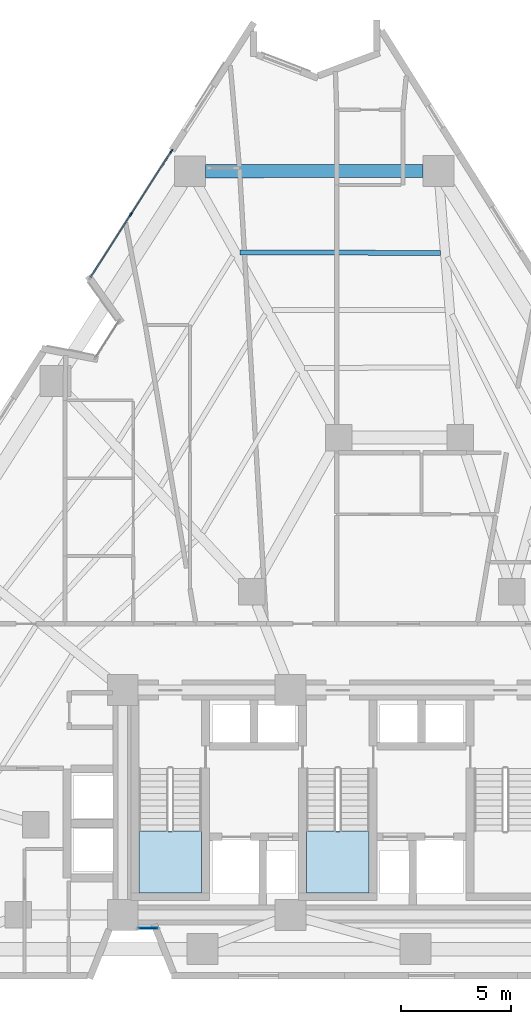
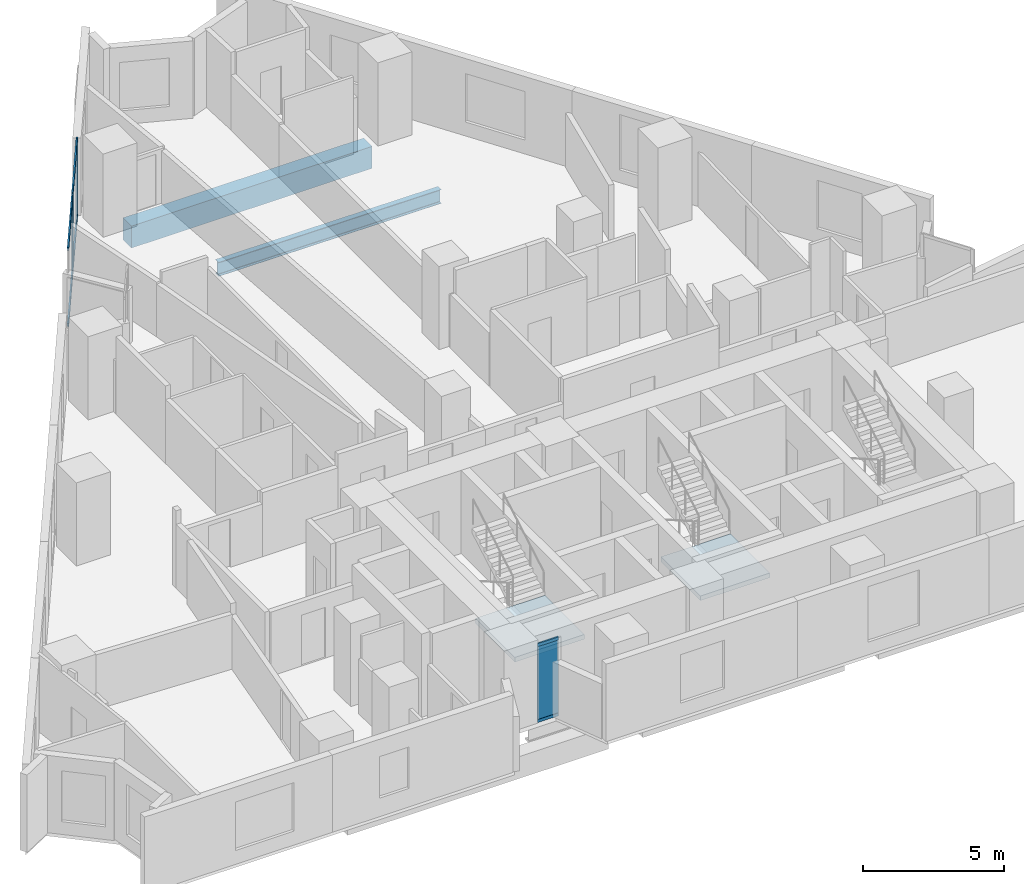
# One storey, part 5 of 12: 8 members, 2 beams, 2 slabs, 1 plate, 4 elements without a shape of their own.
"""IFC4 building model written with IfcOpenShell, lengths in metres."""

from ifc_helpers import new_model, si_unit, direction, frame, origin, origin_2d, place, context, subcontext, project, spatial, polyline, rectangle, i_section, outline, extrude, material, layer, layer_set, material_profile, profile_set, type_object, element, aggregate, save


model = new_model("IFC4")

# Units and contexts
model_context = context("Model", 3, precision=1e-05, world=origin(), true_north=direction((0.0, 1.0)))
body_context = subcontext(model_context, "Body", "Model", "MODEL_VIEW")
ifc_project = project(units=[si_unit("LENGTHUNIT", "METRE"), si_unit("AREAUNIT", "SQUARE_METRE"), si_unit("VOLUMEUNIT", "CUBIC_METRE"), si_unit("PLANEANGLEUNIT", "RADIAN"), si_unit("MASSUNIT", "GRAM", prefix="KILO")], contexts=[model_context])

# Site, building, storey
site_placement = place(None, origin())
site = spatial("IfcSite", under=ifc_project, at=site_placement, CompositionType="ELEMENT")
building_placement = place(site_placement, origin())
building = spatial("IfcBuilding", under=site, at=building_placement, Name="Almagre Mirador Tower", CompositionType="ELEMENT")
storey_placement = place(building_placement, frame((0.0, 0.0, 64.199951171875)))
storey = spatial("IfcBuildingStorey", under=building, at=storey_placement, Name="L15", CompositionType="ELEMENT", Elevation=64.199951171875)

# Beams
ifc_material_1 = material(Name="Steel ASTM A992 Grade 50", Category="steel")
ifc_material_profile_1 = material_profile(ifc_material_1, i_section(OverallWidth=0.22802734375, OverallDepth=0.60791015625, WebThickness=0.01123046875, FlangeThickness=0.017333984375, FilletRadius=0.02001953125, at=origin_2d()), Name="W24X76")
ifc_profile_set_1 = profile_set([ifc_material_profile_1], Name="Steel ASTM A992 Grade 50")
beam_type_1 = type_object("IfcBeamType", Name="BM-JST-W24X76", PredefinedType="JOIST", material=ifc_profile_set_1)
beam_1_placement = place(storey_placement, frame((41.95654296875, 34.57080078125, -0.553955078125), z_axis=(-0.999993235317, 0.003678222446, 0.0), x_axis=(-0.003678222446, -0.999993235317, 0.0)))
element("IfcBeam", 1, at=beam_1_placement, inside=storey, type_object=beam_type_1, Name="L15 secondary floor joist PC08-PC09.1", PredefinedType="JOIST", context=body_context, shape_type="SweptSolid", body=[
    extrude(i_section(OverallWidth=0.22802734375, OverallDepth=0.60791015625, WebThickness=0.01123046875, FlangeThickness=0.017333984375, FilletRadius=0.02001953125, at=origin_2d()), origin(), (0.0, 0.0, 1.0), 9.09326171875),
])
ifc_material_2 = material(Name="Precast concrete C50/60", Category="concrete")
ifc_material_profile_2 = material_profile(ifc_material_2, rectangle(XDim=0.60009765625, YDim=0.949951171875, at=origin_2d()), Name="RC600X950")
ifc_profile_set_2 = profile_set([ifc_material_profile_2], Name="Precast concrete C50/60")
beam_type_2 = type_object("IfcBeamType", Name="BM-SPN-RC600X950", PredefinedType="SPANDREL", material=ifc_profile_set_2)
beam_2_placement = place(storey_placement, frame((41.162109375, 38.289306640625, -0.724853515625), z_axis=(-0.999999686228, -0.000792177001, 0.0), x_axis=(0.000792177001, -0.999999686228, 0.0)))
element("IfcBeam", 2, at=beam_2_placement, inside=storey, type_object=beam_type_2, Name="L15 perimeter spandrel beam PC08-PC09", PredefinedType="SPANDREL", context=body_context, shape_type="SweptSolid", body=[
    extrude(rectangle(XDim=0.60009765625, YDim=0.949951171875, at=origin_2d()), origin(), (0.0, 0.0, 1.0), 9.862060546875),
])

# Curtain wall, members
ifc_material_3 = material(Name="Black anodized aluminium", Category="aluminium")
ifc_layer_1 = layer(ifc_material_3, 0.18994140625)
ifc_layer_set_1 = layer_set([ifc_layer_1], Name="Black anodized aluminium")
curtain_wall_type_1 = type_object("IfcCurtainWallType", Name="CW-RES-L-SYS", PredefinedType="NOTDEFINED", material=ifc_layer_set_1)
curtain_wall_1_placement = place(storey_placement, origin())
curtain_wall_1 = element("IfcCurtainWall", 3, at=curtain_wall_1_placement, inside=storey, type_object=curtain_wall_type_1, Name="L15 curtain wall run 02", PredefinedType="NOTDEFINED")
ifc_material_4 = material(Name="Black anodized aluminium", Category="aluminium")
ifc_material_profile_3 = material_profile(ifc_material_4, rectangle(XDim=0.06494140625, YDim=0.179931640625, at=origin_2d()), Name="CWM65X180")
ifc_profile_set_3 = profile_set([ifc_material_profile_3], Name="Black anodized aluminium")
member_type_1 = type_object("IfcMemberType", Name="MBR-CWM65X180", PredefinedType="MULLION", material=ifc_profile_set_3)
member_1_placement = place(storey_placement, frame((27.91650390625, 36.316650390625, 0.0), z_axis=(0.0, 0.0, 1.0), x_axis=(-0.841957719355, 0.539543509662, 0.0)))
member_1 = element("IfcMember", 4, at=member_1_placement, type_object=member_type_1, Name="CW-2 mullion 2", PredefinedType="MULLION", context=body_context, shape_type="SweptSolid", body=[
    extrude(rectangle(XDim=0.06494140625, YDim=0.179931640625, at=origin_2d()), origin(), (0.0, 0.0, 1.0), 3.35009765625),
])
member_2_placement = place(storey_placement, frame((29.758544921875, 39.191162109375, 0.0), z_axis=(0.0, 0.0, 1.0), x_axis=(-0.841957719355, 0.539543509662, 0.0)))
member_2 = element("IfcMember", 5, at=member_2_placement, type_object=member_type_1, Name="CW-2 mullion 3", PredefinedType="MULLION", context=body_context, shape_type="SweptSolid", body=[
    extrude(rectangle(XDim=0.06494140625, YDim=0.179931640625, at=origin_2d()), origin(), (0.0, 0.0, 1.0), 3.35009765625),
])
ifc_material_5 = material(Name="Black anodized aluminium", Category="aluminium")
ifc_material_profile_4 = material_profile(ifc_material_5, rectangle(XDim=0.06005859375, YDim=0.1298828125, at=origin_2d()), Name="CWT60X130")
ifc_profile_set_4 = profile_set([ifc_material_profile_4], Name="Black anodized aluminium")
member_type_2 = type_object("IfcMemberType", Name="MBR-CWT60X130", PredefinedType="USERDEFINED", material=ifc_profile_set_4)
member_3_placement = place(storey_placement, frame((26.092041015625, 33.4697265625, 0.030029296875), z_axis=(0.539552169735, 0.841952169743, 0.0), x_axis=(-0.841952169743, 0.539552169735, 0.0)))
member_3 = element("IfcMember", 6, at=member_3_placement, type_object=member_type_2, Name="CW-2 transom 1.1", ObjectType="TRANSOM", PredefinedType="USERDEFINED", context=body_context, shape_type="SweptSolid", body=[
    extrude(rectangle(XDim=0.06005859375, YDim=0.1298828125, at=origin_2d()), origin(), (0.0, 0.0, 1.0), 3.348876953125),
])
member_4_placement = place(storey_placement, frame((26.092041015625, 33.4697265625, 3.320068359375), z_axis=(0.539552169735, 0.841952169743, 0.0), x_axis=(-0.841952169743, 0.539552169735, 0.0)))
member_4 = element("IfcMember", 7, at=member_4_placement, type_object=member_type_2, Name="CW-2 transom 1.2", ObjectType="TRANSOM", PredefinedType="USERDEFINED", context=body_context, shape_type="SweptSolid", body=[
    extrude(rectangle(XDim=0.06005859375, YDim=0.1298828125, at=origin_2d()), origin(), (0.0, 0.0, 1.0), 3.348876953125),
])
member_5_placement = place(storey_placement, frame((27.93408203125, 36.343994140625, 0.030029296875), z_axis=(0.539519053365, 0.841973390943, 0.0), x_axis=(-0.841973390943, 0.539519053365, 0.0)))
member_5 = element("IfcMember", 8, at=member_5_placement, type_object=member_type_2, Name="CW-2 transom 2.1", ObjectType="TRANSOM", PredefinedType="USERDEFINED", context=body_context, shape_type="SweptSolid", body=[
    extrude(rectangle(XDim=0.06005859375, YDim=0.1298828125, at=origin_2d()), origin(), (0.0, 0.0, 1.0), 3.34912109375),
])
member_6_placement = place(storey_placement, frame((27.93408203125, 36.343994140625, 3.320068359375), z_axis=(0.539519053365, 0.841973390943, 0.0), x_axis=(-0.841973390943, 0.539519053365, 0.0)))
member_6 = element("IfcMember", 9, at=member_6_placement, type_object=member_type_2, Name="CW-2 transom 2.2", ObjectType="TRANSOM", PredefinedType="USERDEFINED", context=body_context, shape_type="SweptSolid", body=[
    extrude(rectangle(XDim=0.06005859375, YDim=0.1298828125, at=origin_2d()), origin(), (0.0, 0.0, 1.0), 3.34912109375),
])
aggregate(curtain_wall_1, [member_1, member_2, member_3, member_4, member_5, member_6])

# Curtain wall, members, plate
ifc_material_6 = material(Name="Black anodized aluminium", Category="aluminium")
ifc_layer_2 = layer(ifc_material_6, 0.169921875)
ifc_layer_set_2 = layer_set([ifc_layer_2], Name="Black anodized aluminium")
curtain_wall_type_2 = type_object("IfcCurtainWallType", Name="CW-CRS-SYS", PredefinedType="NOTDEFINED", material=ifc_layer_set_2)
curtain_wall_2_placement = place(storey_placement, origin())
curtain_wall_2 = element("IfcCurtainWall", 10, at=curtain_wall_2_placement, inside=storey, type_object=curtain_wall_type_2, Name="L15 vertical crease curtain wall 04", PredefinedType="NOTDEFINED")
member_7_placement = place(storey_placement, frame((29.125, 3.949951171875, 0.030029296875), z_axis=(-1.0, 0.0, 0.0), x_axis=(0.0, -1.0, 0.0)))
member_7 = element("IfcMember", 11, at=member_7_placement, type_object=member_type_2, Name="CW-4 transom 1.1", ObjectType="TRANSOM", PredefinedType="USERDEFINED", context=body_context, shape_type="SweptSolid", body=[
    extrude(rectangle(XDim=0.06005859375, YDim=0.1298828125, at=origin_2d()), origin(), (0.0, 0.0, 1.0), 0.85302734375),
])
member_8_placement = place(storey_placement, frame((29.125, 3.949951171875, 3.320068359375), z_axis=(-1.0, 0.0, 0.0), x_axis=(0.0, -1.0, 0.0)))
member_8 = element("IfcMember", 12, at=member_8_placement, type_object=member_type_2, Name="CW-4 transom 1.2", ObjectType="TRANSOM", PredefinedType="USERDEFINED", context=body_context, shape_type="SweptSolid", body=[
    extrude(rectangle(XDim=0.06005859375, YDim=0.1298828125, at=origin_2d()), origin(), (0.0, 0.0, 1.0), 0.85302734375),
])
ifc_material_7 = material(Name="Dark solar-control laminated hurricane glass", Category="glass")
ifc_layer_3 = layer(ifc_material_7, 0.028076171875)
ifc_layer_set_3 = layer_set([ifc_layer_3], Name="Dark solar-control laminated hurricane glass")
plate_type = type_object("IfcPlateType", Name="PLT-GLZ-28", PredefinedType="CURTAIN_PANEL", material=ifc_layer_set_3)
plate_placement = place(storey_placement, frame((28.698486328125, 3.949951171875, 0.06005859375), z_axis=(0.0, 0.0, 1.0), x_axis=(-1.0, 0.0, 0.0)))
plate = element("IfcPlate", 13, at=plate_placement, type_object=plate_type, Name="CW-4 panel 1.1", PredefinedType="CURTAIN_PANEL", context=body_context, shape_type="SweptSolid", body=[
    extrude(rectangle(XDim=0.85302734375, YDim=0.028076171875, at=origin_2d()), origin(), (0.0, 0.0, 1.0), 3.22998046875),
])
aggregate(curtain_wall_2, [member_7, member_8, plate])

# Stair, slab
ifc_material_8 = material(Name="Concrete C45/55", Category="concrete")
stair_type = type_object("IfcStairType", Name="STR-DL-3600", PredefinedType="HALF_TURN_STAIR", material=ifc_material_8)
stair_1_placement = place(storey_placement, origin())
stair_1 = element("IfcStair", 14, at=stair_1_placement, inside=storey, type_object=stair_type, Name="L15 Protected exit stair ST-1", PredefinedType="HALF_TURN_STAIR")
ifc_material_9 = material(Name="Concrete C45/55", Category="concrete")
ifc_layer_4 = layer(ifc_material_9, 0.199951171875)
ifc_layer_set_4 = layer_set([ifc_layer_4], Name="Concrete C45/55")
slab_type = type_object("IfcSlabType", Name="SLB-LND-200", PredefinedType="LANDING", material=ifc_layer_set_4)
slab_1_placement = place(storey_placement, frame((0.0, 0.0, 1.60009765625)))
slab_1 = element("IfcSlab", 15, at=slab_1_placement, type_object=slab_type, Name="ST-1 landing 1", PredefinedType="LANDING", context=body_context, shape_type="SweptSolid", body=[
    extrude(outline(polyline([(28.27490234375, 8.35009765625), (28.27490234375, 5.550048828125), (31.125, 5.550048828125), (31.125, 8.35009765625), (28.27490234375, 8.35009765625)])), origin(), (0.0, 0.0, 1.0), 0.199951171875),
])
aggregate(stair_1, [slab_1])

stair_2_placement = place(storey_placement, origin())
stair_2 = element("IfcStair", 16, at=stair_2_placement, inside=storey, type_object=stair_type, Name="L15 Protected exit stair ST-2", PredefinedType="HALF_TURN_STAIR")
slab_2_placement = place(storey_placement, frame((0.0, 0.0, 1.60009765625)))
slab_2 = element("IfcSlab", 17, at=slab_2_placement, type_object=slab_type, Name="ST-2 landing 1", PredefinedType="LANDING", context=body_context, shape_type="SweptSolid", body=[
    extrude(outline(polyline([(35.875, 8.35009765625), (35.875, 5.550048828125), (38.72509765625, 5.550048828125), (38.72509765625, 8.35009765625), (35.875, 8.35009765625)])), origin(), (0.0, 0.0, 1.0), 0.199951171875),
])
aggregate(stair_2, [slab_2])

save(model, "model.ifc")
